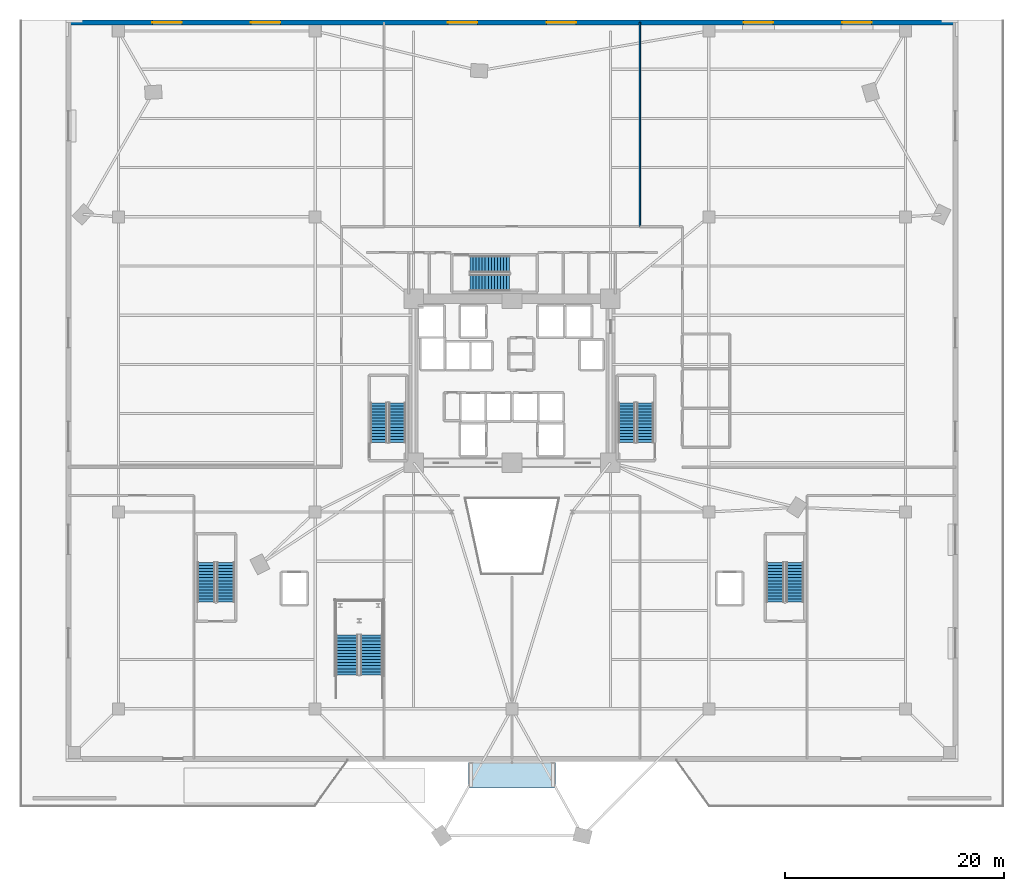
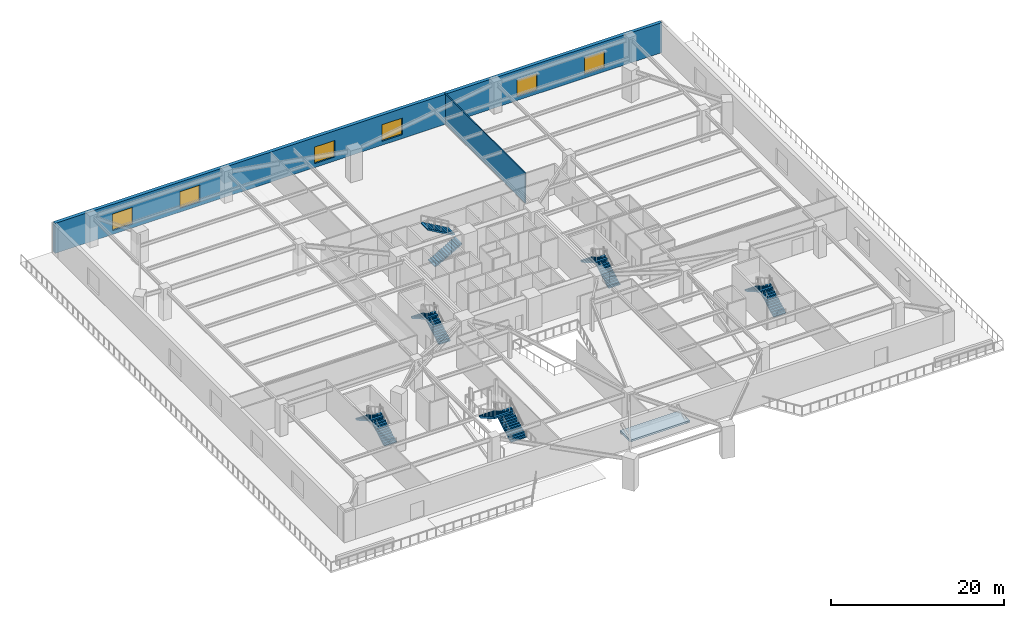
# One storey, part 12 of 19: 12 stair flights, 6 windows, 2 walls, 1 roof, 6 openings, 6 elements without a shape of their own.
"""IFC4 building model written with IfcOpenShell, lengths in metres."""

from ifc_helpers import new_model, si_unit, direction, frame, frame_2d, origin, place, context, subcontext, project, spatial, polyline, rectangle, outline, extrude, source, transform, mapped, material, layer, layer_set, type_object, element, fill, aggregate, save


model = new_model("IFC4")

# Units and contexts
model_context = context("Model", 3, precision=1e-05, world=origin(), true_north=direction((0.0, 1.0)))
body_context = subcontext(model_context, "Body", "Model", "MODEL_VIEW")
ifc_project = project(units=[si_unit("LENGTHUNIT", "METRE"), si_unit("AREAUNIT", "SQUARE_METRE"), si_unit("VOLUMEUNIT", "CUBIC_METRE"), si_unit("PLANEANGLEUNIT", "RADIAN"), si_unit("MASSUNIT", "GRAM", prefix="KILO")], contexts=[model_context])

# Site, building, storey
site_placement = place(None, origin())
site = spatial("IfcSite", under=ifc_project, at=site_placement, CompositionType="ELEMENT")
building_placement = place(site_placement, origin())
building = spatial("IfcBuilding", under=site, at=building_placement, Name="Liaohun Quay Tower", CompositionType="ELEMENT")
storey_placement = place(building_placement, frame((0.0, 0.0, 9.89990234375)))
storey = spatial("IfcBuildingStorey", under=building, at=storey_placement, Name="L03", CompositionType="ELEMENT", Elevation=9.89990234375)

# Wall, openings, windows
ifc_material_1 = material(Name="Precast concrete C50 with granite facing", Category="masonry")
ifc_layer_1 = layer(ifc_material_1, 0.4599609375, Name="Precast concrete C50 with granite facing", Category="masonry")
ifc_layer_set_1 = layer_set([ifc_layer_1], Name="Precast concrete C50 with granite facing")
wall_type_1 = type_object("IfcWallType", Name="WAL-EXT-POD", PredefinedType="SOLIDWALL", material=ifc_layer_set_1)
wall_1_placement = place(storey_placement, frame((100.570068359375, 86.77001953125, 0.0), z_axis=(0.0, 0.0, 1.0), x_axis=(-1.0, 0.0, 0.0)))
wall_1 = element("IfcWall", 1, at=wall_1_placement, inside=storey, type_object=wall_type_1, Name="L03 Podium Precast Facade Wall 02", PredefinedType="SOLIDWALL", context=body_context, shape_type="SweptSolid", body=[
    extrude(rectangle(XDim=81.14013671875, YDim=0.4599609375, at=frame_2d((40.570068359375, 0.0))), origin(), (0.0, 0.0, 1.0), 4.25),
])
shared_shape_1 = source(origin(), body_context, "Body", "SweptSolid", [
    extrude(rectangle(XDim=2.699951171875, YDim=2.35009765625, at=frame_2d((1.35009765625, 1.175048828125))), frame((0.0, 0.239990234375, 0.0), z_axis=(0.0, -1.0, 0.0), x_axis=(1.0, 0.0, 0.0)), (0.0, 0.0, 1.0), 0.47998046875),
])
opening_1_placement = place(wall_1_placement, frame((7.666015625, 0.0, 0.550048828125)))
opening_1 = element("IfcOpeningElement", 2, at=opening_1_placement, cuts=wall_1, Name="Opening W06", PredefinedType="OPENING", context=body_context, shape_type="MappedRepresentation", body=[
    mapped(shared_shape_1, transform((0.0, 0.0, 0.0), x_axis=(1.0, 0.0, 0.0), y_axis=(0.0, 1.0, 0.0), z_axis=(0.0, 0.0, 1.0), scale=1.0)),
])
opening_2_placement = place(wall_1_placement, frame((16.680908203125, 0.0, 0.550048828125)))
opening_2 = element("IfcOpeningElement", 3, at=opening_2_placement, cuts=wall_1, Name="Opening W06", PredefinedType="OPENING", context=body_context, shape_type="MappedRepresentation", body=[
    mapped(shared_shape_1, transform((0.0, 0.0, 0.0), x_axis=(1.0, 0.0, 0.0), y_axis=(0.0, 1.0, 0.0), z_axis=(0.0, 0.0, 1.0), scale=1.0)),
])
opening_3_placement = place(wall_1_placement, frame((34.7119140625, 0.0, 0.550048828125)))
opening_3 = element("IfcOpeningElement", 4, at=opening_3_placement, cuts=wall_1, Name="Opening W06", PredefinedType="OPENING", context=body_context, shape_type="MappedRepresentation", body=[
    mapped(shared_shape_1, transform((0.0, 0.0, 0.0), x_axis=(1.0, 0.0, 0.0), y_axis=(0.0, 1.0, 0.0), z_axis=(0.0, 0.0, 1.0), scale=1.0)),
])
opening_4_placement = place(wall_1_placement, frame((43.72802734375, 0.0, 0.550048828125)))
opening_4 = element("IfcOpeningElement", 5, at=opening_4_placement, cuts=wall_1, Name="Opening W06", PredefinedType="OPENING", context=body_context, shape_type="MappedRepresentation", body=[
    mapped(shared_shape_1, transform((0.0, 0.0, 0.0), x_axis=(1.0, 0.0, 0.0), y_axis=(0.0, 1.0, 0.0), z_axis=(0.0, 0.0, 1.0), scale=1.0)),
])
opening_5_placement = place(wall_1_placement, frame((61.759033203125, 0.0, 0.550048828125)))
opening_5 = element("IfcOpeningElement", 6, at=opening_5_placement, cuts=wall_1, Name="Opening W06", PredefinedType="OPENING", context=body_context, shape_type="MappedRepresentation", body=[
    mapped(shared_shape_1, transform((0.0, 0.0, 0.0), x_axis=(1.0, 0.0, 0.0), y_axis=(0.0, 1.0, 0.0), z_axis=(0.0, 0.0, 1.0), scale=1.0)),
])
opening_6_placement = place(wall_1_placement, frame((70.77392578125, 0.0, 0.550048828125)))
opening_6 = element("IfcOpeningElement", 7, at=opening_6_placement, cuts=wall_1, Name="Opening W06", PredefinedType="OPENING", context=body_context, shape_type="MappedRepresentation", body=[
    mapped(shared_shape_1, transform((0.0, 0.0, 0.0), x_axis=(1.0, 0.0, 0.0), y_axis=(0.0, 1.0, 0.0), z_axis=(0.0, 0.0, 1.0), scale=1.0)),
])
ifc_material_2 = material(Name="Triple Low-E waterfront podium glazing", Category="glass")
window_type = type_object("IfcWindowType", Name="WIN-POD-ARC", PartitioningType="TRIPLE_PANEL_VERTICAL", PredefinedType="WINDOW", material=ifc_material_2)
shared_shape_2 = source(origin(), body_context, "Body", "SweptSolid", [
    extrude(rectangle(XDim=2.699951171875, YDim=2.35009765625, at=frame_2d((1.35009765625, 1.175048828125))), frame((0.0, 0.030029296875, 0.0), z_axis=(0.0, -1.0, 0.0), x_axis=(1.0, 0.0, 0.0)), (0.0, 0.0, 1.0), 0.06005859375),
])
window_1_placement = place(opening_1_placement, origin())
window_1 = element("IfcWindow", 8, at=window_1_placement, inside=storey, type_object=window_type, Name="L03 Podium Punched Window W06-02-01", OverallHeight=2.35009765625, OverallWidth=2.699951171875, PartitioningType="TRIPLE_PANEL_VERTICAL", PredefinedType="WINDOW", context=body_context, shape_type="MappedRepresentation", body=[
    mapped(shared_shape_2, transform((0.0, 0.0, 0.0), x_axis=(1.0, 0.0, 0.0), y_axis=(0.0, 1.0, 0.0), z_axis=(0.0, 0.0, 1.0), scale=1.0)),
])
fill(opening_1, window_1)
window_2_placement = place(opening_2_placement, origin())
window_2 = element("IfcWindow", 9, at=window_2_placement, inside=storey, type_object=window_type, Name="L03 Podium Punched Window W06-02-02", OverallHeight=2.35009765625, OverallWidth=2.699951171875, PartitioningType="TRIPLE_PANEL_VERTICAL", PredefinedType="WINDOW", context=body_context, shape_type="MappedRepresentation", body=[
    mapped(shared_shape_2, transform((0.0, 0.0, 0.0), x_axis=(1.0, 0.0, 0.0), y_axis=(0.0, 1.0, 0.0), z_axis=(0.0, 0.0, 1.0), scale=1.0)),
])
fill(opening_2, window_2)
window_3_placement = place(opening_3_placement, origin())
window_3 = element("IfcWindow", 10, at=window_3_placement, inside=storey, type_object=window_type, Name="L03 Podium Punched Window W06-02-04", OverallHeight=2.35009765625, OverallWidth=2.699951171875, PartitioningType="TRIPLE_PANEL_VERTICAL", PredefinedType="WINDOW", context=body_context, shape_type="MappedRepresentation", body=[
    mapped(shared_shape_2, transform((0.0, 0.0, 0.0), x_axis=(1.0, 0.0, 0.0), y_axis=(0.0, 1.0, 0.0), z_axis=(0.0, 0.0, 1.0), scale=1.0)),
])
fill(opening_3, window_3)
window_4_placement = place(opening_4_placement, origin())
window_4 = element("IfcWindow", 11, at=window_4_placement, inside=storey, type_object=window_type, Name="L03 Podium Punched Window W06-02-05", OverallHeight=2.35009765625, OverallWidth=2.699951171875, PartitioningType="TRIPLE_PANEL_VERTICAL", PredefinedType="WINDOW", context=body_context, shape_type="MappedRepresentation", body=[
    mapped(shared_shape_2, transform((0.0, 0.0, 0.0), x_axis=(1.0, 0.0, 0.0), y_axis=(0.0, 1.0, 0.0), z_axis=(0.0, 0.0, 1.0), scale=1.0)),
])
fill(opening_4, window_4)
window_5_placement = place(opening_5_placement, origin())
window_5 = element("IfcWindow", 12, at=window_5_placement, inside=storey, type_object=window_type, Name="L03 Podium Punched Window W06-02-07", OverallHeight=2.35009765625, OverallWidth=2.699951171875, PartitioningType="TRIPLE_PANEL_VERTICAL", PredefinedType="WINDOW", context=body_context, shape_type="MappedRepresentation", body=[
    mapped(shared_shape_2, transform((0.0, 0.0, 0.0), x_axis=(1.0, 0.0, 0.0), y_axis=(0.0, 1.0, 0.0), z_axis=(0.0, 0.0, 1.0), scale=1.0)),
])
fill(opening_5, window_5)
window_6_placement = place(opening_6_placement, origin())
window_6 = element("IfcWindow", 13, at=window_6_placement, inside=storey, type_object=window_type, Name="L03 Podium Punched Window W06-02-08", OverallHeight=2.35009765625, OverallWidth=2.699951171875, PartitioningType="TRIPLE_PANEL_VERTICAL", PredefinedType="WINDOW", context=body_context, shape_type="MappedRepresentation", body=[
    mapped(shared_shape_2, transform((0.0, 0.0, 0.0), x_axis=(1.0, 0.0, 0.0), y_axis=(0.0, 1.0, 0.0), z_axis=(0.0, 0.0, 1.0), scale=1.0)),
])
fill(opening_6, window_6)

# Wall
ifc_material_3 = material(Name="Gypsum board on twin steel studs", Category="steel")
ifc_layer_2 = layer(ifc_material_3, 0.139892578125, Name="Gypsum board on twin steel studs", Category="steel")
ifc_layer_set_2 = layer_set([ifc_layer_2], Name="Gypsum board on twin steel studs")
wall_type_2 = type_object("IfcWallType", Name="WAL-PRT-OFF", PredefinedType="PARTITIONING", material=ifc_layer_set_2)
wall_2_placement = place(storey_placement, frame((71.699951171875, 68.10009765625, 0.0), z_axis=(0.0, 0.0, 1.0), x_axis=(0.0, 1.0, 0.0)))
element("IfcWall", 14, at=wall_2_placement, inside=storey, type_object=wall_type_2, Name="L03 Interior Partition Wall 041", PredefinedType="PARTITIONING", context=body_context, shape_type="SweptSolid", body=[
    extrude(rectangle(XDim=18.6748046875, YDim=0.139892578125, at=frame_2d((9.33740234375, 0.0))), origin(), (0.0, 0.0, 1.0), 4.25),
])

# Stair, stair flights
ifc_material_4 = material(Name="Precast concrete C50", Category="concrete")
stair_type_1 = type_object("IfcStairType", Name="STR-MON-ATR", PredefinedType="STRAIGHT_RUN_STAIR", material=ifc_material_4)
stair_1_placement = place(storey_placement, origin())
stair_1 = element("IfcStair", 15, at=stair_1_placement, inside=storey, type_object=stair_type_1, Name="L03 Monumental Atrium Feature Stair ST-A", PredefinedType="STRAIGHT_RUN_STAIR")
stair_flight_type_1 = type_object("IfcStairFlightType", Name="FLT-ATR-210", PredefinedType="STRAIGHT", material=ifc_material_4)
stair_flight_1_placement = place(storey_placement, frame((47.14990234375, 27.10009765625, 0.0), z_axis=(0.0, 0.0, 1.0), x_axis=(0.0, 1.0, 0.0)))
stair_flight_1 = element("IfcStairFlight", 16, at=stair_flight_1_placement, type_object=stair_flight_type_1, Name="ST-A flight 1", NumberOfRisers=14, NumberOfTreads=13, PredefinedType="STRAIGHT", RiserHeight=0.160714286, TreadLength=0.28, context=body_context, shape_type="SweptSolid", body=[
    extrude(outline(polyline([(0.0, 0.0), (0.0, 0.16064453125), (0.280029296875, 0.16064453125), (0.280029296875, 0.321533203125), (0.56005859375, 0.321533203125), (0.56005859375, 0.482177734375), (0.840087890625, 0.482177734375), (0.840087890625, 0.642822265625), (1.1201171875, 0.642822265625), (1.1201171875, 0.803466796875), (1.39990234375, 0.803466796875), (1.39990234375, 0.96435546875), (1.679931640625, 0.96435546875), (1.679931640625, 1.125), (1.9599609375, 1.125), (1.9599609375, 1.28564453125), (2.239990234375, 1.28564453125), (2.239990234375, 1.446533203125), (2.52001953125, 1.446533203125), (2.52001953125, 1.607177734375), (2.800048828125, 1.607177734375), (2.800048828125, 1.767822265625), (3.080078125, 1.767822265625), (3.080078125, 1.928466796875), (3.360107421875, 1.928466796875), (3.360107421875, 2.08935546875), (3.639892578125, 2.08935546875), (3.639892578125, 2.25), (3.639892578125, 1.835693359375), (0.44189453125, 0.0), (0.0, 0.0)])), frame((0.0, 1.050048828125, 0.0), z_axis=(0.0, -1.0, 0.0), x_axis=(1.0, 0.0, 0.0)), (0.0, 0.0, 1.0), 2.10009765625),
])
stair_flight_2_placement = place(storey_placement, frame((44.909912109375, 30.739990234375, 2.25), z_axis=(0.0, 0.0, 1.0), x_axis=(0.0, -1.0, 0.0)))
stair_flight_2 = element("IfcStairFlight", 17, at=stair_flight_2_placement, type_object=stair_flight_type_1, Name="ST-A flight 2", NumberOfRisers=14, NumberOfTreads=13, PredefinedType="STRAIGHT", RiserHeight=0.160714286, TreadLength=0.28, context=body_context, shape_type="SweptSolid", body=[
    extrude(outline(polyline([(0.0, 0.0), (0.0, 0.16064453125), (0.280029296875, 0.16064453125), (0.280029296875, 0.321533203125), (0.56005859375, 0.321533203125), (0.56005859375, 0.482177734375), (0.840087890625, 0.482177734375), (0.840087890625, 0.642822265625), (1.1201171875, 0.642822265625), (1.1201171875, 0.803466796875), (1.39990234375, 0.803466796875), (1.39990234375, 0.96435546875), (1.679931640625, 0.96435546875), (1.679931640625, 1.125), (1.9599609375, 1.125), (1.9599609375, 1.28564453125), (2.239990234375, 1.28564453125), (2.239990234375, 1.446533203125), (2.52001953125, 1.446533203125), (2.52001953125, 1.607177734375), (2.800048828125, 1.607177734375), (2.800048828125, 1.767822265625), (3.080078125, 1.767822265625), (3.080078125, 1.928466796875), (3.360107421875, 1.928466796875), (3.360107421875, 2.08935546875), (3.639892578125, 2.08935546875), (3.639892578125, 2.25), (3.639892578125, 1.835693359375), (0.44189453125, 0.0), (0.0, 0.0)])), frame((0.0, 1.050048828125, 0.0), z_axis=(0.0, -1.0, 0.0), x_axis=(1.0, 0.0, 0.0)), (0.0, 0.0, 1.0), 2.10009765625),
])
aggregate(stair_1, [stair_flight_1, stair_flight_2])

ifc_material_5 = material(Name="Concrete C45", Category="concrete")
stair_type_2 = type_object("IfcStairType", Name="STR-CORE-TALL", PredefinedType="HALF_TURN_STAIR", material=ifc_material_5)
stair_2_placement = place(storey_placement, origin())
stair_2 = element("IfcStair", 18, at=stair_2_placement, inside=storey, type_object=stair_type_2, Name="L03 Smokeproof Core Exit Stair ST-1", PredefinedType="HALF_TURN_STAIR")
stair_flight_type_2 = type_object("IfcStairFlightType", Name="FLT-CORE-155", PredefinedType="STRAIGHT", material=ifc_material_5)
stair_flight_3_placement = place(storey_placement, frame((49.5048828125, 48.35009765625, 0.0), z_axis=(0.0, 0.0, 1.0), x_axis=(0.0, 1.0, 0.0)))
stair_flight_3 = element("IfcStairFlight", 19, at=stair_flight_3_placement, type_object=stair_flight_type_2, Name="ST-1 flight 1", NumberOfRisers=14, NumberOfTreads=13, PredefinedType="STRAIGHT", RiserHeight=0.160714286, TreadLength=0.28, context=body_context, shape_type="SweptSolid", body=[
    extrude(outline(polyline([(0.0, 0.0), (0.0, 0.16064453125), (0.280029296875, 0.16064453125), (0.280029296875, 0.321533203125), (0.56005859375, 0.321533203125), (0.56005859375, 0.482177734375), (0.840087890625, 0.482177734375), (0.840087890625, 0.642822265625), (1.1201171875, 0.642822265625), (1.1201171875, 0.803466796875), (1.39990234375, 0.803466796875), (1.39990234375, 0.96435546875), (1.679931640625, 0.96435546875), (1.679931640625, 1.125), (1.9599609375, 1.125), (1.9599609375, 1.28564453125), (2.239990234375, 1.28564453125), (2.239990234375, 1.446533203125), (2.52001953125, 1.446533203125), (2.52001953125, 1.607177734375), (2.800048828125, 1.607177734375), (2.800048828125, 1.767822265625), (3.080078125, 1.767822265625), (3.080078125, 1.928466796875), (3.360107421875, 1.928466796875), (3.360107421875, 2.08935546875), (3.639892578125, 2.08935546875), (3.639892578125, 2.25), (3.639892578125, 1.91650390625), (0.301025390625, 0.0), (0.0, 0.0)])), frame((0.0, 0.77490234375, 0.0), z_axis=(0.0, -1.0, 0.0), x_axis=(1.0, 0.0, 0.0)), (0.0, 0.0, 1.0), 1.550048828125),
])
stair_flight_4_placement = place(storey_placement, frame((47.81494140625, 51.989990234375, 2.25), z_axis=(0.0, 0.0, 1.0), x_axis=(0.0, -1.0, 0.0)))
stair_flight_4 = element("IfcStairFlight", 20, at=stair_flight_4_placement, type_object=stair_flight_type_2, Name="ST-1 flight 2", NumberOfRisers=14, NumberOfTreads=13, PredefinedType="STRAIGHT", RiserHeight=0.160714286, TreadLength=0.28, context=body_context, shape_type="SweptSolid", body=[
    extrude(outline(polyline([(0.0, 0.0), (0.0, 0.16064453125), (0.280029296875, 0.16064453125), (0.280029296875, 0.321533203125), (0.56005859375, 0.321533203125), (0.56005859375, 0.482177734375), (0.840087890625, 0.482177734375), (0.840087890625, 0.642822265625), (1.1201171875, 0.642822265625), (1.1201171875, 0.803466796875), (1.39990234375, 0.803466796875), (1.39990234375, 0.96435546875), (1.679931640625, 0.96435546875), (1.679931640625, 1.125), (1.9599609375, 1.125), (1.9599609375, 1.28564453125), (2.239990234375, 1.28564453125), (2.239990234375, 1.446533203125), (2.52001953125, 1.446533203125), (2.52001953125, 1.607177734375), (2.800048828125, 1.607177734375), (2.800048828125, 1.767822265625), (3.080078125, 1.767822265625), (3.080078125, 1.928466796875), (3.360107421875, 1.928466796875), (3.360107421875, 2.08935546875), (3.639892578125, 2.08935546875), (3.639892578125, 2.25), (3.639892578125, 1.91650390625), (0.301025390625, 0.0), (0.0, 0.0)])), frame((0.0, 0.77490234375, 0.0), z_axis=(0.0, -1.0, 0.0), x_axis=(1.0, 0.0, 0.0)), (0.0, 0.0, 1.0), 1.550048828125),
])
aggregate(stair_2, [stair_flight_3, stair_flight_4])

stair_3_placement = place(storey_placement, origin())
stair_3 = element("IfcStair", 21, at=stair_3_placement, inside=storey, type_object=stair_type_2, Name="L03 Smokeproof Core Exit Stair ST-2", PredefinedType="HALF_TURN_STAIR")
stair_flight_5_placement = place(storey_placement, frame((72.18505859375, 48.35009765625, 0.0), z_axis=(0.0, 0.0, 1.0), x_axis=(0.0, 1.0, 0.0)))
stair_flight_5 = element("IfcStairFlight", 22, at=stair_flight_5_placement, type_object=stair_flight_type_2, Name="ST-2 flight 1", NumberOfRisers=14, NumberOfTreads=13, PredefinedType="STRAIGHT", RiserHeight=0.160714286, TreadLength=0.28, context=body_context, shape_type="SweptSolid", body=[
    extrude(outline(polyline([(0.0, 0.0), (0.0, 0.16064453125), (0.280029296875, 0.16064453125), (0.280029296875, 0.321533203125), (0.56005859375, 0.321533203125), (0.56005859375, 0.482177734375), (0.840087890625, 0.482177734375), (0.840087890625, 0.642822265625), (1.1201171875, 0.642822265625), (1.1201171875, 0.803466796875), (1.39990234375, 0.803466796875), (1.39990234375, 0.96435546875), (1.679931640625, 0.96435546875), (1.679931640625, 1.125), (1.9599609375, 1.125), (1.9599609375, 1.28564453125), (2.239990234375, 1.28564453125), (2.239990234375, 1.446533203125), (2.52001953125, 1.446533203125), (2.52001953125, 1.607177734375), (2.800048828125, 1.607177734375), (2.800048828125, 1.767822265625), (3.080078125, 1.767822265625), (3.080078125, 1.928466796875), (3.360107421875, 1.928466796875), (3.360107421875, 2.08935546875), (3.639892578125, 2.08935546875), (3.639892578125, 2.25), (3.639892578125, 1.91650390625), (0.301025390625, 0.0), (0.0, 0.0)])), frame((0.0, 0.77490234375, 0.0), z_axis=(0.0, -1.0, 0.0), x_axis=(1.0, 0.0, 0.0)), (0.0, 0.0, 1.0), 1.550048828125),
])
stair_flight_6_placement = place(storey_placement, frame((70.4951171875, 51.989990234375, 2.25), z_axis=(0.0, 0.0, 1.0), x_axis=(0.0, -1.0, 0.0)))
stair_flight_6 = element("IfcStairFlight", 23, at=stair_flight_6_placement, type_object=stair_flight_type_2, Name="ST-2 flight 2", NumberOfRisers=14, NumberOfTreads=13, PredefinedType="STRAIGHT", RiserHeight=0.160714286, TreadLength=0.28, context=body_context, shape_type="SweptSolid", body=[
    extrude(outline(polyline([(0.0, 0.0), (0.0, 0.16064453125), (0.280029296875, 0.16064453125), (0.280029296875, 0.321533203125), (0.56005859375, 0.321533203125), (0.56005859375, 0.482177734375), (0.840087890625, 0.482177734375), (0.840087890625, 0.642822265625), (1.1201171875, 0.642822265625), (1.1201171875, 0.803466796875), (1.39990234375, 0.803466796875), (1.39990234375, 0.96435546875), (1.679931640625, 0.96435546875), (1.679931640625, 1.125), (1.9599609375, 1.125), (1.9599609375, 1.28564453125), (2.239990234375, 1.28564453125), (2.239990234375, 1.446533203125), (2.52001953125, 1.446533203125), (2.52001953125, 1.607177734375), (2.800048828125, 1.607177734375), (2.800048828125, 1.767822265625), (3.080078125, 1.767822265625), (3.080078125, 1.928466796875), (3.360107421875, 1.928466796875), (3.360107421875, 2.08935546875), (3.639892578125, 2.08935546875), (3.639892578125, 2.25), (3.639892578125, 1.91650390625), (0.301025390625, 0.0), (0.0, 0.0)])), frame((0.0, 0.77490234375, 0.0), z_axis=(0.0, -1.0, 0.0), x_axis=(1.0, 0.0, 0.0)), (0.0, 0.0, 1.0), 1.550048828125),
])
aggregate(stair_3, [stair_flight_5, stair_flight_6])

stair_4_placement = place(storey_placement, origin())
stair_4 = element("IfcStair", 24, at=stair_4_placement, inside=storey, type_object=stair_type_2, Name="L03 Smokeproof Core Exit Stair ST-3", PredefinedType="HALF_TURN_STAIR")
stair_flight_7_placement = place(storey_placement, frame((56.14990234375, 62.97509765625, 0.0), z_axis=(0.0, 0.0, 1.0), x_axis=(1.0, 0.0, 0.0)))
stair_flight_7 = element("IfcStairFlight", 25, at=stair_flight_7_placement, type_object=stair_flight_type_2, Name="ST-3 flight 1", NumberOfRisers=14, NumberOfTreads=13, PredefinedType="STRAIGHT", RiserHeight=0.160714286, TreadLength=0.28, context=body_context, shape_type="SweptSolid", body=[
    extrude(outline(polyline([(0.0, 0.0), (0.0, 0.16064453125), (0.280029296875, 0.16064453125), (0.280029296875, 0.321533203125), (0.56005859375, 0.321533203125), (0.56005859375, 0.482177734375), (0.840087890625, 0.482177734375), (0.840087890625, 0.642822265625), (1.1201171875, 0.642822265625), (1.1201171875, 0.803466796875), (1.39990234375, 0.803466796875), (1.39990234375, 0.96435546875), (1.679931640625, 0.96435546875), (1.679931640625, 1.125), (1.9599609375, 1.125), (1.9599609375, 1.28564453125), (2.239990234375, 1.28564453125), (2.239990234375, 1.446533203125), (2.52001953125, 1.446533203125), (2.52001953125, 1.607177734375), (2.800048828125, 1.607177734375), (2.800048828125, 1.767822265625), (3.080078125, 1.767822265625), (3.080078125, 1.928466796875), (3.360107421875, 1.928466796875), (3.360107421875, 2.08935546875), (3.639892578125, 2.08935546875), (3.639892578125, 2.25), (3.639892578125, 1.91650390625), (0.301025390625, 0.0), (0.0, 0.0)])), frame((0.0, 0.77490234375, 0.0), z_axis=(0.0, -1.0, 0.0), x_axis=(1.0, 0.0, 0.0)), (0.0, 0.0, 1.0), 1.550048828125),
])
stair_flight_8_placement = place(storey_placement, frame((59.7900390625, 64.6650390625, 2.25), z_axis=(0.0, 0.0, 1.0), x_axis=(-1.0, 0.0, 0.0)))
stair_flight_8 = element("IfcStairFlight", 26, at=stair_flight_8_placement, type_object=stair_flight_type_2, Name="ST-3 flight 2", NumberOfRisers=14, NumberOfTreads=13, PredefinedType="STRAIGHT", RiserHeight=0.160714286, TreadLength=0.28, context=body_context, shape_type="SweptSolid", body=[
    extrude(outline(polyline([(0.0, 0.0), (0.0, 0.16064453125), (0.280029296875, 0.16064453125), (0.280029296875, 0.321533203125), (0.56005859375, 0.321533203125), (0.56005859375, 0.482177734375), (0.840087890625, 0.482177734375), (0.840087890625, 0.642822265625), (1.1201171875, 0.642822265625), (1.1201171875, 0.803466796875), (1.39990234375, 0.803466796875), (1.39990234375, 0.96435546875), (1.679931640625, 0.96435546875), (1.679931640625, 1.125), (1.9599609375, 1.125), (1.9599609375, 1.28564453125), (2.239990234375, 1.28564453125), (2.239990234375, 1.446533203125), (2.52001953125, 1.446533203125), (2.52001953125, 1.607177734375), (2.800048828125, 1.607177734375), (2.800048828125, 1.767822265625), (3.080078125, 1.767822265625), (3.080078125, 1.928466796875), (3.360107421875, 1.928466796875), (3.360107421875, 2.08935546875), (3.639892578125, 2.08935546875), (3.639892578125, 2.25), (3.639892578125, 1.91650390625), (0.301025390625, 0.0), (0.0, 0.0)])), frame((0.0, 0.77490234375, 0.0), z_axis=(0.0, -1.0, 0.0), x_axis=(1.0, 0.0, 0.0)), (0.0, 0.0, 1.0), 1.550048828125),
])
aggregate(stair_4, [stair_flight_7, stair_flight_8])

stair_type_3 = type_object("IfcStairType", Name="STR-POD-EXIT", PredefinedType="TWO_STRAIGHT_RUN_STAIR", material=ifc_material_5)
stair_5_placement = place(storey_placement, origin())
stair_5 = element("IfcStair", 27, at=stair_5_placement, inside=storey, type_object=stair_type_3, Name="L03 Podium Smokeproof Exit Stair ST-P1", PredefinedType="TWO_STRAIGHT_RUN_STAIR")
stair_flight_type_3 = type_object("IfcStairFlightType", Name="FLT-POD-165", PredefinedType="STRAIGHT", material=ifc_material_5)
stair_flight_9_placement = place(storey_placement, frame((33.81494140625, 33.75, 0.0), z_axis=(0.0, 0.0, 1.0), x_axis=(0.0, 1.0, 0.0)))
stair_flight_9 = element("IfcStairFlight", 28, at=stair_flight_9_placement, type_object=stair_flight_type_3, Name="ST-P1 flight 1", NumberOfRisers=14, NumberOfTreads=13, PredefinedType="STRAIGHT", RiserHeight=0.160714286, TreadLength=0.28, context=body_context, shape_type="SweptSolid", body=[
    extrude(outline(polyline([(0.0, 0.0), (0.0, 0.16064453125), (0.280029296875, 0.16064453125), (0.280029296875, 0.321533203125), (0.56005859375, 0.321533203125), (0.56005859375, 0.482177734375), (0.840087890625, 0.482177734375), (0.840087890625, 0.642822265625), (1.1201171875, 0.642822265625), (1.1201171875, 0.803466796875), (1.39990234375, 0.803466796875), (1.39990234375, 0.96435546875), (1.679931640625, 0.96435546875), (1.679931640625, 1.125), (1.9599609375, 1.125), (1.9599609375, 1.28564453125), (2.239990234375, 1.28564453125), (2.239990234375, 1.446533203125), (2.52001953125, 1.446533203125), (2.52001953125, 1.607177734375), (2.800048828125, 1.607177734375), (2.800048828125, 1.767822265625), (3.080078125, 1.767822265625), (3.080078125, 1.928466796875), (3.360107421875, 1.928466796875), (3.360107421875, 2.08935546875), (3.639892578125, 2.08935546875), (3.639892578125, 2.25), (3.639892578125, 1.91650390625), (0.301025390625, 0.0), (0.0, 0.0)])), frame((0.0, 0.824951171875, 0.0), z_axis=(0.0, -1.0, 0.0), x_axis=(1.0, 0.0, 0.0)), (0.0, 0.0, 1.0), 1.64990234375),
])
stair_flight_10_placement = place(storey_placement, frame((32.02490234375, 37.389892578125, 2.25), z_axis=(0.0, 0.0, 1.0), x_axis=(0.0, -1.0, 0.0)))
stair_flight_10 = element("IfcStairFlight", 29, at=stair_flight_10_placement, type_object=stair_flight_type_3, Name="ST-P1 flight 2", NumberOfRisers=14, NumberOfTreads=13, PredefinedType="STRAIGHT", RiserHeight=0.160714286, TreadLength=0.28, context=body_context, shape_type="SweptSolid", body=[
    extrude(outline(polyline([(0.0, 0.0), (0.0, 0.16064453125), (0.280029296875, 0.16064453125), (0.280029296875, 0.321533203125), (0.56005859375, 0.321533203125), (0.56005859375, 0.482177734375), (0.840087890625, 0.482177734375), (0.840087890625, 0.642822265625), (1.1201171875, 0.642822265625), (1.1201171875, 0.803466796875), (1.39990234375, 0.803466796875), (1.39990234375, 0.96435546875), (1.679931640625, 0.96435546875), (1.679931640625, 1.125), (1.9599609375, 1.125), (1.9599609375, 1.28564453125), (2.239990234375, 1.28564453125), (2.239990234375, 1.446533203125), (2.52001953125, 1.446533203125), (2.52001953125, 1.607177734375), (2.800048828125, 1.607177734375), (2.800048828125, 1.767822265625), (3.080078125, 1.767822265625), (3.080078125, 1.928466796875), (3.360107421875, 1.928466796875), (3.360107421875, 2.08935546875), (3.639892578125, 2.08935546875), (3.639892578125, 2.25), (3.639892578125, 1.91650390625), (0.301025390625, 0.0), (0.0, 0.0)])), frame((0.0, 0.824951171875, 0.0), z_axis=(0.0, -1.0, 0.0), x_axis=(1.0, 0.0, 0.0)), (0.0, 0.0, 1.0), 1.64990234375),
])
aggregate(stair_5, [stair_flight_9, stair_flight_10])

stair_6_placement = place(storey_placement, origin())
stair_6 = element("IfcStair", 30, at=stair_6_placement, inside=storey, type_object=stair_type_3, Name="L03 Podium Smokeproof Exit Stair ST-P2", PredefinedType="TWO_STRAIGHT_RUN_STAIR")
stair_flight_11_placement = place(storey_placement, frame((85.875, 33.75, 0.0), z_axis=(0.0, 0.0, 1.0), x_axis=(0.0, 1.0, 0.0)))
stair_flight_11 = element("IfcStairFlight", 31, at=stair_flight_11_placement, type_object=stair_flight_type_3, Name="ST-P2 flight 1", NumberOfRisers=14, NumberOfTreads=13, PredefinedType="STRAIGHT", RiserHeight=0.160714286, TreadLength=0.28, context=body_context, shape_type="SweptSolid", body=[
    extrude(outline(polyline([(0.0, 0.0), (0.0, 0.16064453125), (0.280029296875, 0.16064453125), (0.280029296875, 0.321533203125), (0.56005859375, 0.321533203125), (0.56005859375, 0.482177734375), (0.840087890625, 0.482177734375), (0.840087890625, 0.642822265625), (1.1201171875, 0.642822265625), (1.1201171875, 0.803466796875), (1.39990234375, 0.803466796875), (1.39990234375, 0.96435546875), (1.679931640625, 0.96435546875), (1.679931640625, 1.125), (1.9599609375, 1.125), (1.9599609375, 1.28564453125), (2.239990234375, 1.28564453125), (2.239990234375, 1.446533203125), (2.52001953125, 1.446533203125), (2.52001953125, 1.607177734375), (2.800048828125, 1.607177734375), (2.800048828125, 1.767822265625), (3.080078125, 1.767822265625), (3.080078125, 1.928466796875), (3.360107421875, 1.928466796875), (3.360107421875, 2.08935546875), (3.639892578125, 2.08935546875), (3.639892578125, 2.25), (3.639892578125, 1.91650390625), (0.301025390625, 0.0), (0.0, 0.0)])), frame((0.0, 0.824951171875, 0.0), z_axis=(0.0, -1.0, 0.0), x_axis=(1.0, 0.0, 0.0)), (0.0, 0.0, 1.0), 1.64990234375),
])
stair_flight_12_placement = place(storey_placement, frame((84.0849609375, 37.389892578125, 2.25), z_axis=(0.0, 0.0, 1.0), x_axis=(0.0, -1.0, 0.0)))
stair_flight_12 = element("IfcStairFlight", 32, at=stair_flight_12_placement, type_object=stair_flight_type_3, Name="ST-P2 flight 2", NumberOfRisers=14, NumberOfTreads=13, PredefinedType="STRAIGHT", RiserHeight=0.160714286, TreadLength=0.28, context=body_context, shape_type="SweptSolid", body=[
    extrude(outline(polyline([(0.0, 0.0), (0.0, 0.16064453125), (0.280029296875, 0.16064453125), (0.280029296875, 0.321533203125), (0.56005859375, 0.321533203125), (0.56005859375, 0.482177734375), (0.840087890625, 0.482177734375), (0.840087890625, 0.642822265625), (1.1201171875, 0.642822265625), (1.1201171875, 0.803466796875), (1.39990234375, 0.803466796875), (1.39990234375, 0.96435546875), (1.679931640625, 0.96435546875), (1.679931640625, 1.125), (1.9599609375, 1.125), (1.9599609375, 1.28564453125), (2.239990234375, 1.28564453125), (2.239990234375, 1.446533203125), (2.52001953125, 1.446533203125), (2.52001953125, 1.607177734375), (2.800048828125, 1.607177734375), (2.800048828125, 1.767822265625), (3.080078125, 1.767822265625), (3.080078125, 1.928466796875), (3.360107421875, 1.928466796875), (3.360107421875, 2.08935546875), (3.639892578125, 2.08935546875), (3.639892578125, 2.25), (3.639892578125, 1.91650390625), (0.301025390625, 0.0), (0.0, 0.0)])), frame((0.0, 0.824951171875, 0.0), z_axis=(0.0, -1.0, 0.0), x_axis=(1.0, 0.0, 0.0)), (0.0, 0.0, 1.0), 1.64990234375),
])
aggregate(stair_6, [stair_flight_11, stair_flight_12])

# Roof
ifc_layer_3 = layer(ifc_material_4, 0.260009765625, Name="Precast concrete C50", Category="concrete")
ifc_layer_set_3 = layer_set([ifc_layer_3], Name="Precast concrete C50")
roof_type = type_object("IfcRoofType", Name="ROF-POD-CAN", PredefinedType="FLAT_ROOF", material=ifc_layer_set_3)
roof_placement = place(storey_placement, frame((0.0, 0.0, 2.85009765625)))
element("IfcRoof", 33, at=roof_placement, inside=storey, type_object=roof_type, Name="L03 Terrace Canopy", PredefinedType="FLAT_ROOF", context=body_context, shape_type="SweptSolid", body=[
    extrude(outline(polyline([(56.0, 16.75), (64.0, 16.75), (64.0, 19.080078125), (56.0, 19.080078125), (56.0, 16.75)])), origin(), (0.0, 0.0, 1.0), 0.260009765625),
])

save(model, "model.ifc")
